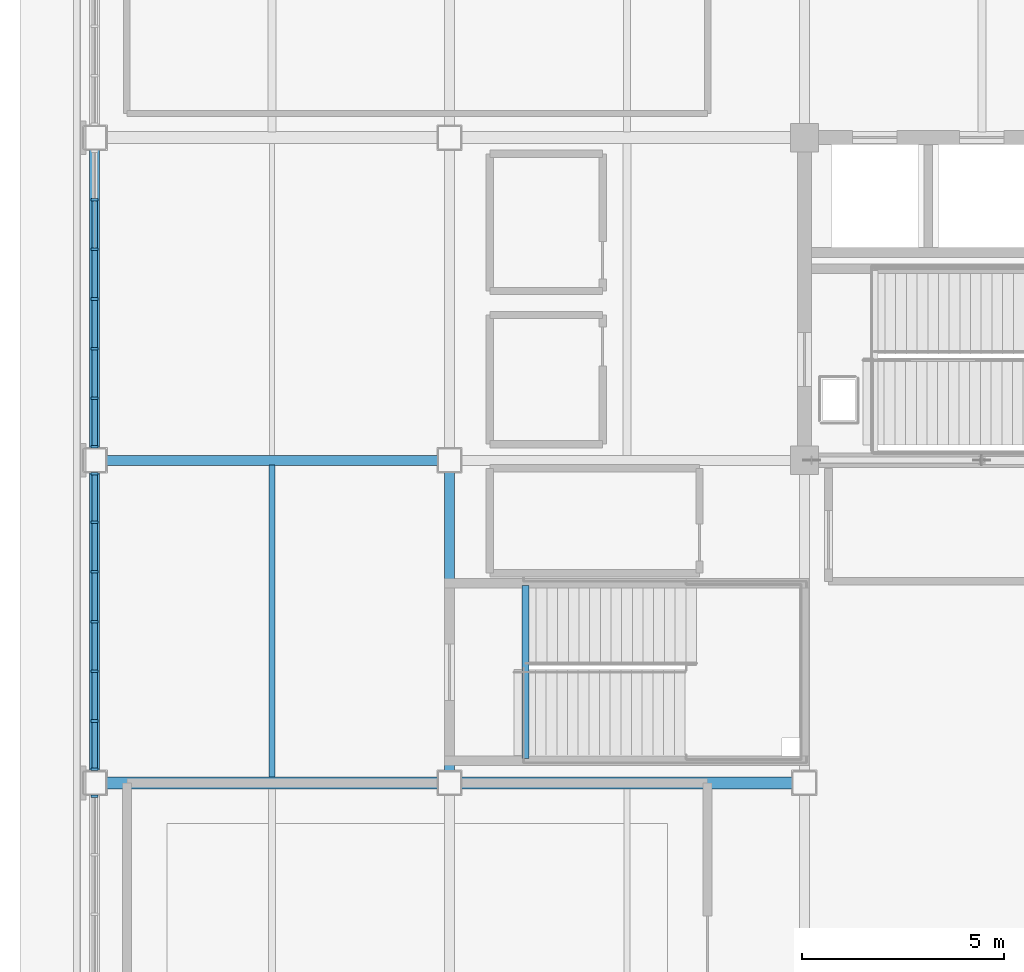
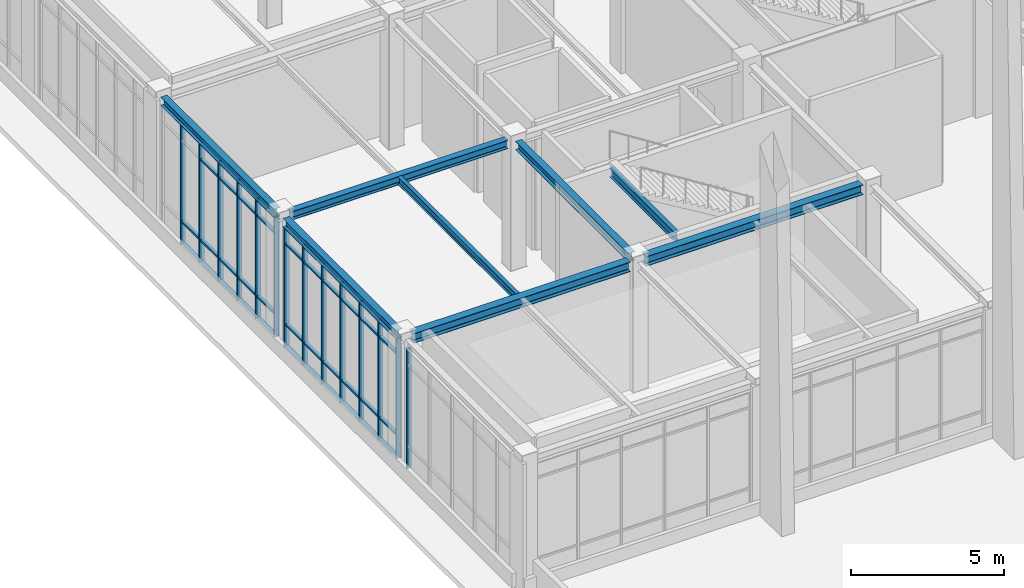
# One storey, part 26 of 108: 56 members, 8 beams, 3 elements without a shape of their own.
"""IFC4 building model written with IfcOpenShell, lengths in metres."""

from ifc_helpers import new_model, si_unit, direction, frame, origin, origin_2d, place, context, subcontext, project, spatial, rectangle, i_section, extrude, material, material_profile, profile_set, type_object, element, aggregate, save


model = new_model("IFC4")

# Units and contexts
model_context = context("Model", 3, precision=1e-05, world=origin(), true_north=direction((0.0, 1.0)))
body_context = subcontext(model_context, "Body", "Model", "MODEL_VIEW")
ifc_project = project(units=[si_unit("LENGTHUNIT", "METRE"), si_unit("AREAUNIT", "SQUARE_METRE"), si_unit("VOLUMEUNIT", "CUBIC_METRE"), si_unit("PLANEANGLEUNIT", "RADIAN"), si_unit("MASSUNIT", "GRAM", prefix="KILO")], contexts=[model_context])

# Site, building, storey
site_placement = place(None, origin())
site = spatial("IfcSite", under=ifc_project, at=site_placement, CompositionType="ELEMENT")
building_placement = place(site_placement, origin())
building = spatial("IfcBuilding", under=site, at=building_placement, Name="Zhaolan Boulevard Law Courts", CompositionType="ELEMENT")
storey_placement = place(building_placement, frame((0.0, 0.0, 10.800048828125)))
storey = spatial("IfcBuildingStorey", under=building, at=storey_placement, Name="L02", CompositionType="ELEMENT", Elevation=10.800048828125)

# Curtain wall, member
ifc_material_1 = material(Name="Thermally broken aluminium and low-E glazing", Category="aluminium")
curtain_wall_type_1 = type_object("IfcCurtainWallType", Name="CURTAIN WALL M12", PredefinedType="USERDEFINED", material=ifc_material_1)
curtain_wall_1_placement = place(storey_placement, origin())
curtain_wall_1 = element("IfcCurtainWall", 1, at=curtain_wall_1_placement, inside=storey, type_object=curtain_wall_type_1, Name="Curtain Wall CW-L02-156", ObjectType="CURTAIN WALL", PredefinedType="USERDEFINED")
ifc_material_2 = material(Name="Fluorocarbon-coated aluminium 6063-T6", Category="aluminium")
ifc_material_profile_1 = material_profile(ifc_material_2, rectangle(XDim=0.179931640625, YDim=0.06494140625, at=origin_2d()), Name="AL65x180")
ifc_profile_set_1 = profile_set([ifc_material_profile_1], Name="Fluorocarbon-coated aluminium 6063-T6")
member_type_1 = type_object("IfcMemberType", Name="CWMULLION 65X180", PredefinedType="MULLION", material=ifc_profile_set_1)
member_1_placement = place(storey_placement, frame((0.0, 37.66552734375, 0.0), z_axis=(0.0, 0.0, 1.0), x_axis=(1.0, 0.0, 0.0)))
member_1 = element("IfcMember", 2, at=member_1_placement, type_object=member_type_1, Name="CW-L02-156 mullion 1", PredefinedType="MULLION", context=body_context, shape_type="SweptSolid", body=[
    extrude(rectangle(XDim=0.179931640625, YDim=0.06494140625, at=origin_2d()), origin(), (0.0, 0.0, 1.0), 4.782958984375),
])
aggregate(curtain_wall_1, [member_1])

# Curtain wall, members
ifc_material_3 = material(Name="Thermally broken aluminium and low-E glazing", Category="aluminium")
curtain_wall_type_2 = type_object("IfcCurtainWallType", Name="CURTAIN WALL M13", PredefinedType="USERDEFINED", material=ifc_material_3)
curtain_wall_2_placement = place(storey_placement, origin())
curtain_wall_2 = element("IfcCurtainWall", 3, at=curtain_wall_2_placement, inside=storey, type_object=curtain_wall_type_2, Name="Curtain Wall CW-L02-157", ObjectType="CURTAIN WALL", PredefinedType="USERDEFINED")
member_2_placement = place(storey_placement, frame((0.0, 45.66552734375, 0.0), z_axis=(0.0, 0.0, 1.0), x_axis=(1.0, 0.0, 0.0)))
member_2 = element("IfcMember", 4, at=member_2_placement, type_object=member_type_1, Name="CW-L02-157 mullion 1", PredefinedType="MULLION", context=body_context, shape_type="SweptSolid", body=[
    extrude(rectangle(XDim=0.179931640625, YDim=0.06494140625, at=origin_2d()), origin(), (0.0, 0.0, 1.0), 4.782958984375),
])
member_3_placement = place(storey_placement, frame((0.0, 44.46533203125, 0.0), z_axis=(0.0, 0.0, 1.0), x_axis=(1.0, 0.0, 0.0)))
member_3 = element("IfcMember", 5, at=member_3_placement, type_object=member_type_1, Name="CW-L02-157 mullion 2", PredefinedType="MULLION", context=body_context, shape_type="SweptSolid", body=[
    extrude(rectangle(XDim=0.179931640625, YDim=0.06494140625, at=origin_2d()), origin(), (0.0, 0.0, 1.0), 4.782958984375),
])
member_4_placement = place(storey_placement, frame((0.0, 43.232666015625, 0.0), z_axis=(0.0, 0.0, 1.0), x_axis=(1.0, 0.0, 0.0)))
member_4 = element("IfcMember", 6, at=member_4_placement, type_object=member_type_1, Name="CW-L02-157 mullion 3", PredefinedType="MULLION", context=body_context, shape_type="SweptSolid", body=[
    extrude(rectangle(XDim=0.179931640625, YDim=0.06494140625, at=origin_2d()), origin(), (0.0, 0.0, 1.0), 4.782958984375),
])
member_5_placement = place(storey_placement, frame((0.0, 42.0, 0.0), z_axis=(0.0, 0.0, 1.0), x_axis=(1.0, 0.0, 0.0)))
member_5 = element("IfcMember", 7, at=member_5_placement, type_object=member_type_1, Name="CW-L02-157 mullion 4", PredefinedType="MULLION", context=body_context, shape_type="SweptSolid", body=[
    extrude(rectangle(XDim=0.179931640625, YDim=0.06494140625, at=origin_2d()), origin(), (0.0, 0.0, 1.0), 4.782958984375),
])
member_6_placement = place(storey_placement, frame((0.0, 40.767333984375, 0.0), z_axis=(0.0, 0.0, 1.0), x_axis=(1.0, 0.0, 0.0)))
member_6 = element("IfcMember", 8, at=member_6_placement, type_object=member_type_1, Name="CW-L02-157 mullion 5", PredefinedType="MULLION", context=body_context, shape_type="SweptSolid", body=[
    extrude(rectangle(XDim=0.179931640625, YDim=0.06494140625, at=origin_2d()), origin(), (0.0, 0.0, 1.0), 4.782958984375),
])
member_7_placement = place(storey_placement, frame((0.0, 39.53466796875, 0.0), z_axis=(0.0, 0.0, 1.0), x_axis=(1.0, 0.0, 0.0)))
member_7 = element("IfcMember", 9, at=member_7_placement, type_object=member_type_1, Name="CW-L02-157 mullion 6", PredefinedType="MULLION", context=body_context, shape_type="SweptSolid", body=[
    extrude(rectangle(XDim=0.179931640625, YDim=0.06494140625, at=origin_2d()), origin(), (0.0, 0.0, 1.0), 4.782958984375),
])
member_8_placement = place(storey_placement, frame((0.0, 38.33447265625, 0.0), z_axis=(0.0, 0.0, 1.0), x_axis=(1.0, 0.0, 0.0)))
member_8 = element("IfcMember", 10, at=member_8_placement, type_object=member_type_1, Name="CW-L02-157 mullion 7", PredefinedType="MULLION", context=body_context, shape_type="SweptSolid", body=[
    extrude(rectangle(XDim=0.179931640625, YDim=0.06494140625, at=origin_2d()), origin(), (0.0, 0.0, 1.0), 4.782958984375),
])

ifc_material_4 = material(Name="Thermally broken aluminium and low-E glazing", Category="aluminium")
curtain_wall_type_3 = type_object("IfcCurtainWallType", Name="CURTAIN WALL M14", PredefinedType="USERDEFINED", material=ifc_material_4)
curtain_wall_3_placement = place(storey_placement, origin())
curtain_wall_3 = element("IfcCurtainWall", 11, at=curtain_wall_3_placement, inside=storey, type_object=curtain_wall_type_3, Name="Curtain Wall CW-L02-158", ObjectType="CURTAIN WALL", PredefinedType="USERDEFINED")
member_9_placement = place(storey_placement, frame((0.0, 52.46533203125, 0.0), z_axis=(0.0, 0.0, 1.0), x_axis=(1.0, 0.0, 0.0)))
member_9 = element("IfcMember", 12, at=member_9_placement, type_object=member_type_1, Name="CW-L02-158 mullion 2", PredefinedType="MULLION", context=body_context, shape_type="SweptSolid", body=[
    extrude(rectangle(XDim=0.179931640625, YDim=0.06494140625, at=origin_2d()), origin(), (0.0, 0.0, 1.0), 4.782958984375),
])
member_10_placement = place(storey_placement, frame((0.0, 51.232666015625, 0.0), z_axis=(0.0, 0.0, 1.0), x_axis=(1.0, 0.0, 0.0)))
member_10 = element("IfcMember", 13, at=member_10_placement, type_object=member_type_1, Name="CW-L02-158 mullion 3", PredefinedType="MULLION", context=body_context, shape_type="SweptSolid", body=[
    extrude(rectangle(XDim=0.179931640625, YDim=0.06494140625, at=origin_2d()), origin(), (0.0, 0.0, 1.0), 4.782958984375),
])
member_11_placement = place(storey_placement, frame((0.0, 50.0, 0.0), z_axis=(0.0, 0.0, 1.0), x_axis=(1.0, 0.0, 0.0)))
member_11 = element("IfcMember", 14, at=member_11_placement, type_object=member_type_1, Name="CW-L02-158 mullion 4", PredefinedType="MULLION", context=body_context, shape_type="SweptSolid", body=[
    extrude(rectangle(XDim=0.179931640625, YDim=0.06494140625, at=origin_2d()), origin(), (0.0, 0.0, 1.0), 4.782958984375),
])
member_12_placement = place(storey_placement, frame((0.0, 48.767333984375, 0.0), z_axis=(0.0, 0.0, 1.0), x_axis=(1.0, 0.0, 0.0)))
member_12 = element("IfcMember", 15, at=member_12_placement, type_object=member_type_1, Name="CW-L02-158 mullion 5", PredefinedType="MULLION", context=body_context, shape_type="SweptSolid", body=[
    extrude(rectangle(XDim=0.179931640625, YDim=0.06494140625, at=origin_2d()), origin(), (0.0, 0.0, 1.0), 4.782958984375),
])
member_13_placement = place(storey_placement, frame((0.0, 47.53466796875, 0.0), z_axis=(0.0, 0.0, 1.0), x_axis=(1.0, 0.0, 0.0)))
member_13 = element("IfcMember", 16, at=member_13_placement, type_object=member_type_1, Name="CW-L02-158 mullion 6", PredefinedType="MULLION", context=body_context, shape_type="SweptSolid", body=[
    extrude(rectangle(XDim=0.179931640625, YDim=0.06494140625, at=origin_2d()), origin(), (0.0, 0.0, 1.0), 4.782958984375),
])
member_14_placement = place(storey_placement, frame((0.0, 46.33447265625, 0.0), z_axis=(0.0, 0.0, 1.0), x_axis=(1.0, 0.0, 0.0)))
member_14 = element("IfcMember", 17, at=member_14_placement, type_object=member_type_1, Name="CW-L02-158 mullion 7", PredefinedType="MULLION", context=body_context, shape_type="SweptSolid", body=[
    extrude(rectangle(XDim=0.179931640625, YDim=0.06494140625, at=origin_2d()), origin(), (0.0, 0.0, 1.0), 4.782958984375),
])

# Member
ifc_material_5 = material(Name="Fluorocarbon-coated aluminium 6063-T6", Category="aluminium")
ifc_material_profile_2 = material_profile(ifc_material_5, rectangle(XDim=0.139892578125, YDim=0.06494140625, at=origin_2d()), Name="AL65x140")
ifc_profile_set_2 = profile_set([ifc_material_profile_2], Name="Fluorocarbon-coated aluminium 6063-T6")
member_type_2 = type_object("IfcMemberType", Name="CWTRANSOM 65X140", PredefinedType="USERDEFINED", material=ifc_profile_set_2)
member_15_placement = place(storey_placement, frame((0.0, 45.633056640625, 0.032470703125), z_axis=(0.0, -1.0, 0.0), x_axis=(1.0, 0.0, 0.0)))
member_15 = element("IfcMember", 18, at=member_15_placement, type_object=member_type_2, Name="CW-L02-157 transom 1.1", ObjectType="TRANSOM", PredefinedType="USERDEFINED", context=body_context, shape_type="SweptSolid", body=[
    extrude(rectangle(XDim=0.139892578125, YDim=0.06494140625, at=origin_2d()), origin(), (0.0, 0.0, 1.0), 1.13525390625),
])

member_16_placement = place(storey_placement, frame((0.0, 45.633056640625, 0.89990234375), z_axis=(0.0, -1.0, 0.0), x_axis=(1.0, 0.0, 0.0)))
member_16 = element("IfcMember", 19, at=member_16_placement, type_object=member_type_2, Name="CW-L02-157 transom 1.2", ObjectType="TRANSOM", PredefinedType="USERDEFINED", context=body_context, shape_type="SweptSolid", body=[
    extrude(rectangle(XDim=0.139892578125, YDim=0.06494140625, at=origin_2d()), origin(), (0.0, 0.0, 1.0), 1.13525390625),
])

member_17_placement = place(storey_placement, frame((0.0, 45.633056640625, 4.133056640625), z_axis=(0.0, -1.0, 0.0), x_axis=(1.0, 0.0, 0.0)))
member_17 = element("IfcMember", 20, at=member_17_placement, type_object=member_type_2, Name="CW-L02-157 transom 1.3", ObjectType="TRANSOM", PredefinedType="USERDEFINED", context=body_context, shape_type="SweptSolid", body=[
    extrude(rectangle(XDim=0.139892578125, YDim=0.06494140625, at=origin_2d()), origin(), (0.0, 0.0, 1.0), 1.13525390625),
])

member_18_placement = place(storey_placement, frame((0.0, 45.633056640625, 4.75048828125), z_axis=(0.0, -1.0, 0.0), x_axis=(1.0, 0.0, 0.0)))
member_18 = element("IfcMember", 21, at=member_18_placement, type_object=member_type_2, Name="CW-L02-157 transom 1.4", ObjectType="TRANSOM", PredefinedType="USERDEFINED", context=body_context, shape_type="SweptSolid", body=[
    extrude(rectangle(XDim=0.139892578125, YDim=0.06494140625, at=origin_2d()), origin(), (0.0, 0.0, 1.0), 1.13525390625),
])

member_19_placement = place(storey_placement, frame((0.0, 44.432861328125, 0.032470703125), z_axis=(0.0, -1.0, 0.0), x_axis=(1.0, 0.0, 0.0)))
member_19 = element("IfcMember", 22, at=member_19_placement, type_object=member_type_2, Name="CW-L02-157 transom 2.1", ObjectType="TRANSOM", PredefinedType="USERDEFINED", context=body_context, shape_type="SweptSolid", body=[
    extrude(rectangle(XDim=0.139892578125, YDim=0.06494140625, at=origin_2d()), origin(), (0.0, 0.0, 1.0), 1.167724609375),
])

member_20_placement = place(storey_placement, frame((0.0, 44.432861328125, 0.89990234375), z_axis=(0.0, -1.0, 0.0), x_axis=(1.0, 0.0, 0.0)))
member_20 = element("IfcMember", 23, at=member_20_placement, type_object=member_type_2, Name="CW-L02-157 transom 2.2", ObjectType="TRANSOM", PredefinedType="USERDEFINED", context=body_context, shape_type="SweptSolid", body=[
    extrude(rectangle(XDim=0.139892578125, YDim=0.06494140625, at=origin_2d()), origin(), (0.0, 0.0, 1.0), 1.167724609375),
])

member_21_placement = place(storey_placement, frame((0.0, 44.432861328125, 4.133056640625), z_axis=(0.0, -1.0, 0.0), x_axis=(1.0, 0.0, 0.0)))
member_21 = element("IfcMember", 24, at=member_21_placement, type_object=member_type_2, Name="CW-L02-157 transom 2.3", ObjectType="TRANSOM", PredefinedType="USERDEFINED", context=body_context, shape_type="SweptSolid", body=[
    extrude(rectangle(XDim=0.139892578125, YDim=0.06494140625, at=origin_2d()), origin(), (0.0, 0.0, 1.0), 1.167724609375),
])

member_22_placement = place(storey_placement, frame((0.0, 44.432861328125, 4.75048828125), z_axis=(0.0, -1.0, 0.0), x_axis=(1.0, 0.0, 0.0)))
member_22 = element("IfcMember", 25, at=member_22_placement, type_object=member_type_2, Name="CW-L02-157 transom 2.4", ObjectType="TRANSOM", PredefinedType="USERDEFINED", context=body_context, shape_type="SweptSolid", body=[
    extrude(rectangle(XDim=0.139892578125, YDim=0.06494140625, at=origin_2d()), origin(), (0.0, 0.0, 1.0), 1.167724609375),
])

member_23_placement = place(storey_placement, frame((0.0, 43.2001953125, 0.032470703125), z_axis=(0.0, -1.0, 0.0), x_axis=(1.0, 0.0, 0.0)))
member_23 = element("IfcMember", 26, at=member_23_placement, type_object=member_type_2, Name="CW-L02-157 transom 3.1", ObjectType="TRANSOM", PredefinedType="USERDEFINED", context=body_context, shape_type="SweptSolid", body=[
    extrude(rectangle(XDim=0.139892578125, YDim=0.06494140625, at=origin_2d()), origin(), (0.0, 0.0, 1.0), 1.167724609375),
])

member_24_placement = place(storey_placement, frame((0.0, 43.2001953125, 0.89990234375), z_axis=(0.0, -1.0, 0.0), x_axis=(1.0, 0.0, 0.0)))
member_24 = element("IfcMember", 27, at=member_24_placement, type_object=member_type_2, Name="CW-L02-157 transom 3.2", ObjectType="TRANSOM", PredefinedType="USERDEFINED", context=body_context, shape_type="SweptSolid", body=[
    extrude(rectangle(XDim=0.139892578125, YDim=0.06494140625, at=origin_2d()), origin(), (0.0, 0.0, 1.0), 1.167724609375),
])

member_25_placement = place(storey_placement, frame((0.0, 43.2001953125, 4.133056640625), z_axis=(0.0, -1.0, 0.0), x_axis=(1.0, 0.0, 0.0)))
member_25 = element("IfcMember", 28, at=member_25_placement, type_object=member_type_2, Name="CW-L02-157 transom 3.3", ObjectType="TRANSOM", PredefinedType="USERDEFINED", context=body_context, shape_type="SweptSolid", body=[
    extrude(rectangle(XDim=0.139892578125, YDim=0.06494140625, at=origin_2d()), origin(), (0.0, 0.0, 1.0), 1.167724609375),
])

member_26_placement = place(storey_placement, frame((0.0, 43.2001953125, 4.75048828125), z_axis=(0.0, -1.0, 0.0), x_axis=(1.0, 0.0, 0.0)))
member_26 = element("IfcMember", 29, at=member_26_placement, type_object=member_type_2, Name="CW-L02-157 transom 3.4", ObjectType="TRANSOM", PredefinedType="USERDEFINED", context=body_context, shape_type="SweptSolid", body=[
    extrude(rectangle(XDim=0.139892578125, YDim=0.06494140625, at=origin_2d()), origin(), (0.0, 0.0, 1.0), 1.167724609375),
])

member_27_placement = place(storey_placement, frame((0.0, 41.967529296875, 0.032470703125), z_axis=(0.0, -1.0, 0.0), x_axis=(1.0, 0.0, 0.0)))
member_27 = element("IfcMember", 30, at=member_27_placement, type_object=member_type_2, Name="CW-L02-157 transom 4.1", ObjectType="TRANSOM", PredefinedType="USERDEFINED", context=body_context, shape_type="SweptSolid", body=[
    extrude(rectangle(XDim=0.139892578125, YDim=0.06494140625, at=origin_2d()), origin(), (0.0, 0.0, 1.0), 1.167724609375),
])

member_28_placement = place(storey_placement, frame((0.0, 41.967529296875, 0.89990234375), z_axis=(0.0, -1.0, 0.0), x_axis=(1.0, 0.0, 0.0)))
member_28 = element("IfcMember", 31, at=member_28_placement, type_object=member_type_2, Name="CW-L02-157 transom 4.2", ObjectType="TRANSOM", PredefinedType="USERDEFINED", context=body_context, shape_type="SweptSolid", body=[
    extrude(rectangle(XDim=0.139892578125, YDim=0.06494140625, at=origin_2d()), origin(), (0.0, 0.0, 1.0), 1.167724609375),
])

member_29_placement = place(storey_placement, frame((0.0, 41.967529296875, 4.133056640625), z_axis=(0.0, -1.0, 0.0), x_axis=(1.0, 0.0, 0.0)))
member_29 = element("IfcMember", 32, at=member_29_placement, type_object=member_type_2, Name="CW-L02-157 transom 4.3", ObjectType="TRANSOM", PredefinedType="USERDEFINED", context=body_context, shape_type="SweptSolid", body=[
    extrude(rectangle(XDim=0.139892578125, YDim=0.06494140625, at=origin_2d()), origin(), (0.0, 0.0, 1.0), 1.167724609375),
])

member_30_placement = place(storey_placement, frame((0.0, 41.967529296875, 4.75048828125), z_axis=(0.0, -1.0, 0.0), x_axis=(1.0, 0.0, 0.0)))
member_30 = element("IfcMember", 33, at=member_30_placement, type_object=member_type_2, Name="CW-L02-157 transom 4.4", ObjectType="TRANSOM", PredefinedType="USERDEFINED", context=body_context, shape_type="SweptSolid", body=[
    extrude(rectangle(XDim=0.139892578125, YDim=0.06494140625, at=origin_2d()), origin(), (0.0, 0.0, 1.0), 1.167724609375),
])

member_31_placement = place(storey_placement, frame((0.0, 40.73486328125, 0.032470703125), z_axis=(0.0, -1.0, 0.0), x_axis=(1.0, 0.0, 0.0)))
member_31 = element("IfcMember", 34, at=member_31_placement, type_object=member_type_2, Name="CW-L02-157 transom 5.1", ObjectType="TRANSOM", PredefinedType="USERDEFINED", context=body_context, shape_type="SweptSolid", body=[
    extrude(rectangle(XDim=0.139892578125, YDim=0.06494140625, at=origin_2d()), origin(), (0.0, 0.0, 1.0), 1.167724609375),
])

member_32_placement = place(storey_placement, frame((0.0, 40.73486328125, 0.89990234375), z_axis=(0.0, -1.0, 0.0), x_axis=(1.0, 0.0, 0.0)))
member_32 = element("IfcMember", 35, at=member_32_placement, type_object=member_type_2, Name="CW-L02-157 transom 5.2", ObjectType="TRANSOM", PredefinedType="USERDEFINED", context=body_context, shape_type="SweptSolid", body=[
    extrude(rectangle(XDim=0.139892578125, YDim=0.06494140625, at=origin_2d()), origin(), (0.0, 0.0, 1.0), 1.167724609375),
])

member_33_placement = place(storey_placement, frame((0.0, 40.73486328125, 4.133056640625), z_axis=(0.0, -1.0, 0.0), x_axis=(1.0, 0.0, 0.0)))
member_33 = element("IfcMember", 36, at=member_33_placement, type_object=member_type_2, Name="CW-L02-157 transom 5.3", ObjectType="TRANSOM", PredefinedType="USERDEFINED", context=body_context, shape_type="SweptSolid", body=[
    extrude(rectangle(XDim=0.139892578125, YDim=0.06494140625, at=origin_2d()), origin(), (0.0, 0.0, 1.0), 1.167724609375),
])

member_34_placement = place(storey_placement, frame((0.0, 40.73486328125, 4.75048828125), z_axis=(0.0, -1.0, 0.0), x_axis=(1.0, 0.0, 0.0)))
member_34 = element("IfcMember", 37, at=member_34_placement, type_object=member_type_2, Name="CW-L02-157 transom 5.4", ObjectType="TRANSOM", PredefinedType="USERDEFINED", context=body_context, shape_type="SweptSolid", body=[
    extrude(rectangle(XDim=0.139892578125, YDim=0.06494140625, at=origin_2d()), origin(), (0.0, 0.0, 1.0), 1.167724609375),
])

member_35_placement = place(storey_placement, frame((0.0, 39.502197265625, 0.032470703125), z_axis=(0.0, -1.0, 0.0), x_axis=(1.0, 0.0, 0.0)))
member_35 = element("IfcMember", 38, at=member_35_placement, type_object=member_type_2, Name="CW-L02-157 transom 6.1", ObjectType="TRANSOM", PredefinedType="USERDEFINED", context=body_context, shape_type="SweptSolid", body=[
    extrude(rectangle(XDim=0.139892578125, YDim=0.06494140625, at=origin_2d()), origin(), (0.0, 0.0, 1.0), 1.13525390625),
])

member_36_placement = place(storey_placement, frame((0.0, 39.502197265625, 0.89990234375), z_axis=(0.0, -1.0, 0.0), x_axis=(1.0, 0.0, 0.0)))
member_36 = element("IfcMember", 39, at=member_36_placement, type_object=member_type_2, Name="CW-L02-157 transom 6.2", ObjectType="TRANSOM", PredefinedType="USERDEFINED", context=body_context, shape_type="SweptSolid", body=[
    extrude(rectangle(XDim=0.139892578125, YDim=0.06494140625, at=origin_2d()), origin(), (0.0, 0.0, 1.0), 1.13525390625),
])

member_37_placement = place(storey_placement, frame((0.0, 39.502197265625, 4.133056640625), z_axis=(0.0, -1.0, 0.0), x_axis=(1.0, 0.0, 0.0)))
member_37 = element("IfcMember", 40, at=member_37_placement, type_object=member_type_2, Name="CW-L02-157 transom 6.3", ObjectType="TRANSOM", PredefinedType="USERDEFINED", context=body_context, shape_type="SweptSolid", body=[
    extrude(rectangle(XDim=0.139892578125, YDim=0.06494140625, at=origin_2d()), origin(), (0.0, 0.0, 1.0), 1.13525390625),
])

member_38_placement = place(storey_placement, frame((0.0, 39.502197265625, 4.75048828125), z_axis=(0.0, -1.0, 0.0), x_axis=(1.0, 0.0, 0.0)))
member_38 = element("IfcMember", 41, at=member_38_placement, type_object=member_type_2, Name="CW-L02-157 transom 6.4", ObjectType="TRANSOM", PredefinedType="USERDEFINED", context=body_context, shape_type="SweptSolid", body=[
    extrude(rectangle(XDim=0.139892578125, YDim=0.06494140625, at=origin_2d()), origin(), (0.0, 0.0, 1.0), 1.13525390625),
])

aggregate(curtain_wall_2, [member_2, member_3, member_4, member_5, member_6, member_7, member_8, member_15, member_16, member_17, member_18, member_19, member_20, member_21, member_22, member_23, member_24, member_25, member_26, member_27, member_28, member_29, member_30, member_31, member_32, member_33, member_34, member_35, member_36, member_37, member_38])

member_39_placement = place(storey_placement, frame((0.0, 52.432861328125, 0.032470703125), z_axis=(0.0, -1.0, 0.0), x_axis=(1.0, 0.0, 0.0)))
member_39 = element("IfcMember", 42, at=member_39_placement, type_object=member_type_2, Name="CW-L02-158 transom 2.1", ObjectType="TRANSOM", PredefinedType="USERDEFINED", context=body_context, shape_type="SweptSolid", body=[
    extrude(rectangle(XDim=0.139892578125, YDim=0.06494140625, at=origin_2d()), origin(), (0.0, 0.0, 1.0), 1.167724609375),
])

member_40_placement = place(storey_placement, frame((0.0, 52.432861328125, 0.89990234375), z_axis=(0.0, -1.0, 0.0), x_axis=(1.0, 0.0, 0.0)))
member_40 = element("IfcMember", 43, at=member_40_placement, type_object=member_type_2, Name="CW-L02-158 transom 2.2", ObjectType="TRANSOM", PredefinedType="USERDEFINED", context=body_context, shape_type="SweptSolid", body=[
    extrude(rectangle(XDim=0.139892578125, YDim=0.06494140625, at=origin_2d()), origin(), (0.0, 0.0, 1.0), 1.167724609375),
])

member_41_placement = place(storey_placement, frame((0.0, 51.2001953125, 0.032470703125), z_axis=(0.0, -1.0, 0.0), x_axis=(1.0, 0.0, 0.0)))
member_41 = element("IfcMember", 44, at=member_41_placement, type_object=member_type_2, Name="CW-L02-158 transom 3.1", ObjectType="TRANSOM", PredefinedType="USERDEFINED", context=body_context, shape_type="SweptSolid", body=[
    extrude(rectangle(XDim=0.139892578125, YDim=0.06494140625, at=origin_2d()), origin(), (0.0, 0.0, 1.0), 1.167724609375),
])

member_42_placement = place(storey_placement, frame((0.0, 51.2001953125, 0.89990234375), z_axis=(0.0, -1.0, 0.0), x_axis=(1.0, 0.0, 0.0)))
member_42 = element("IfcMember", 45, at=member_42_placement, type_object=member_type_2, Name="CW-L02-158 transom 3.2", ObjectType="TRANSOM", PredefinedType="USERDEFINED", context=body_context, shape_type="SweptSolid", body=[
    extrude(rectangle(XDim=0.139892578125, YDim=0.06494140625, at=origin_2d()), origin(), (0.0, 0.0, 1.0), 1.167724609375),
])

member_43_placement = place(storey_placement, frame((0.0, 51.2001953125, 4.133056640625), z_axis=(0.0, -1.0, 0.0), x_axis=(1.0, 0.0, 0.0)))
member_43 = element("IfcMember", 46, at=member_43_placement, type_object=member_type_2, Name="CW-L02-158 transom 3.3", ObjectType="TRANSOM", PredefinedType="USERDEFINED", context=body_context, shape_type="SweptSolid", body=[
    extrude(rectangle(XDim=0.139892578125, YDim=0.06494140625, at=origin_2d()), origin(), (0.0, 0.0, 1.0), 1.167724609375),
])

member_44_placement = place(storey_placement, frame((0.0, 51.2001953125, 4.75048828125), z_axis=(0.0, -1.0, 0.0), x_axis=(1.0, 0.0, 0.0)))
member_44 = element("IfcMember", 47, at=member_44_placement, type_object=member_type_2, Name="CW-L02-158 transom 3.4", ObjectType="TRANSOM", PredefinedType="USERDEFINED", context=body_context, shape_type="SweptSolid", body=[
    extrude(rectangle(XDim=0.139892578125, YDim=0.06494140625, at=origin_2d()), origin(), (0.0, 0.0, 1.0), 1.167724609375),
])

member_45_placement = place(storey_placement, frame((0.0, 49.967529296875, 0.032470703125), z_axis=(0.0, -1.0, 0.0), x_axis=(1.0, 0.0, 0.0)))
member_45 = element("IfcMember", 48, at=member_45_placement, type_object=member_type_2, Name="CW-L02-158 transom 4.1", ObjectType="TRANSOM", PredefinedType="USERDEFINED", context=body_context, shape_type="SweptSolid", body=[
    extrude(rectangle(XDim=0.139892578125, YDim=0.06494140625, at=origin_2d()), origin(), (0.0, 0.0, 1.0), 1.167724609375),
])

member_46_placement = place(storey_placement, frame((0.0, 49.967529296875, 0.89990234375), z_axis=(0.0, -1.0, 0.0), x_axis=(1.0, 0.0, 0.0)))
member_46 = element("IfcMember", 49, at=member_46_placement, type_object=member_type_2, Name="CW-L02-158 transom 4.2", ObjectType="TRANSOM", PredefinedType="USERDEFINED", context=body_context, shape_type="SweptSolid", body=[
    extrude(rectangle(XDim=0.139892578125, YDim=0.06494140625, at=origin_2d()), origin(), (0.0, 0.0, 1.0), 1.167724609375),
])

member_47_placement = place(storey_placement, frame((0.0, 49.967529296875, 4.133056640625), z_axis=(0.0, -1.0, 0.0), x_axis=(1.0, 0.0, 0.0)))
member_47 = element("IfcMember", 50, at=member_47_placement, type_object=member_type_2, Name="CW-L02-158 transom 4.3", ObjectType="TRANSOM", PredefinedType="USERDEFINED", context=body_context, shape_type="SweptSolid", body=[
    extrude(rectangle(XDim=0.139892578125, YDim=0.06494140625, at=origin_2d()), origin(), (0.0, 0.0, 1.0), 1.167724609375),
])

member_48_placement = place(storey_placement, frame((0.0, 49.967529296875, 4.75048828125), z_axis=(0.0, -1.0, 0.0), x_axis=(1.0, 0.0, 0.0)))
member_48 = element("IfcMember", 51, at=member_48_placement, type_object=member_type_2, Name="CW-L02-158 transom 4.4", ObjectType="TRANSOM", PredefinedType="USERDEFINED", context=body_context, shape_type="SweptSolid", body=[
    extrude(rectangle(XDim=0.139892578125, YDim=0.06494140625, at=origin_2d()), origin(), (0.0, 0.0, 1.0), 1.167724609375),
])

member_49_placement = place(storey_placement, frame((0.0, 48.73486328125, 0.032470703125), z_axis=(0.0, -1.0, 0.0), x_axis=(1.0, 0.0, 0.0)))
member_49 = element("IfcMember", 52, at=member_49_placement, type_object=member_type_2, Name="CW-L02-158 transom 5.1", ObjectType="TRANSOM", PredefinedType="USERDEFINED", context=body_context, shape_type="SweptSolid", body=[
    extrude(rectangle(XDim=0.139892578125, YDim=0.06494140625, at=origin_2d()), origin(), (0.0, 0.0, 1.0), 1.167724609375),
])

member_50_placement = place(storey_placement, frame((0.0, 48.73486328125, 0.89990234375), z_axis=(0.0, -1.0, 0.0), x_axis=(1.0, 0.0, 0.0)))
member_50 = element("IfcMember", 53, at=member_50_placement, type_object=member_type_2, Name="CW-L02-158 transom 5.2", ObjectType="TRANSOM", PredefinedType="USERDEFINED", context=body_context, shape_type="SweptSolid", body=[
    extrude(rectangle(XDim=0.139892578125, YDim=0.06494140625, at=origin_2d()), origin(), (0.0, 0.0, 1.0), 1.167724609375),
])

member_51_placement = place(storey_placement, frame((0.0, 48.73486328125, 4.133056640625), z_axis=(0.0, -1.0, 0.0), x_axis=(1.0, 0.0, 0.0)))
member_51 = element("IfcMember", 54, at=member_51_placement, type_object=member_type_2, Name="CW-L02-158 transom 5.3", ObjectType="TRANSOM", PredefinedType="USERDEFINED", context=body_context, shape_type="SweptSolid", body=[
    extrude(rectangle(XDim=0.139892578125, YDim=0.06494140625, at=origin_2d()), origin(), (0.0, 0.0, 1.0), 1.167724609375),
])

member_52_placement = place(storey_placement, frame((0.0, 48.73486328125, 4.75048828125), z_axis=(0.0, -1.0, 0.0), x_axis=(1.0, 0.0, 0.0)))
member_52 = element("IfcMember", 55, at=member_52_placement, type_object=member_type_2, Name="CW-L02-158 transom 5.4", ObjectType="TRANSOM", PredefinedType="USERDEFINED", context=body_context, shape_type="SweptSolid", body=[
    extrude(rectangle(XDim=0.139892578125, YDim=0.06494140625, at=origin_2d()), origin(), (0.0, 0.0, 1.0), 1.167724609375),
])

member_53_placement = place(storey_placement, frame((0.0, 47.502197265625, 0.032470703125), z_axis=(0.0, -1.0, 0.0), x_axis=(1.0, 0.0, 0.0)))
member_53 = element("IfcMember", 56, at=member_53_placement, type_object=member_type_2, Name="CW-L02-158 transom 6.1", ObjectType="TRANSOM", PredefinedType="USERDEFINED", context=body_context, shape_type="SweptSolid", body=[
    extrude(rectangle(XDim=0.139892578125, YDim=0.06494140625, at=origin_2d()), origin(), (0.0, 0.0, 1.0), 1.13525390625),
])

member_54_placement = place(storey_placement, frame((0.0, 47.502197265625, 0.89990234375), z_axis=(0.0, -1.0, 0.0), x_axis=(1.0, 0.0, 0.0)))
member_54 = element("IfcMember", 57, at=member_54_placement, type_object=member_type_2, Name="CW-L02-158 transom 6.2", ObjectType="TRANSOM", PredefinedType="USERDEFINED", context=body_context, shape_type="SweptSolid", body=[
    extrude(rectangle(XDim=0.139892578125, YDim=0.06494140625, at=origin_2d()), origin(), (0.0, 0.0, 1.0), 1.13525390625),
])

member_55_placement = place(storey_placement, frame((0.0, 47.502197265625, 4.133056640625), z_axis=(0.0, -1.0, 0.0), x_axis=(1.0, 0.0, 0.0)))
member_55 = element("IfcMember", 58, at=member_55_placement, type_object=member_type_2, Name="CW-L02-158 transom 6.3", ObjectType="TRANSOM", PredefinedType="USERDEFINED", context=body_context, shape_type="SweptSolid", body=[
    extrude(rectangle(XDim=0.139892578125, YDim=0.06494140625, at=origin_2d()), origin(), (0.0, 0.0, 1.0), 1.13525390625),
])

member_56_placement = place(storey_placement, frame((0.0, 47.502197265625, 4.75048828125), z_axis=(0.0, -1.0, 0.0), x_axis=(1.0, 0.0, 0.0)))
member_56 = element("IfcMember", 59, at=member_56_placement, type_object=member_type_2, Name="CW-L02-158 transom 6.4", ObjectType="TRANSOM", PredefinedType="USERDEFINED", context=body_context, shape_type="SweptSolid", body=[
    extrude(rectangle(XDim=0.139892578125, YDim=0.06494140625, at=origin_2d()), origin(), (0.0, 0.0, 1.0), 1.13525390625),
])

aggregate(curtain_wall_3, [member_9, member_10, member_11, member_12, member_13, member_14, member_39, member_40, member_41, member_42, member_43, member_44, member_45, member_46, member_47, member_48, member_49, member_50, member_51, member_52, member_53, member_54, member_55, member_56])

# Beams
ifc_material_6 = material(Name="Structural steel Q355B", Category="steel")
ifc_material_profile_3 = material_profile(ifc_material_6, i_section(OverallWidth=0.25, OverallDepth=0.340087890625, WebThickness=0.009033203125, FlangeThickness=0.013916015625, FilletRadius=0.01611328125, at=origin_2d()), Name="HM340x250")
ifc_profile_set_3 = profile_set([ifc_material_profile_3], Name="Structural steel Q355B")
beam_type_1 = type_object("IfcBeamType", Name="GIRDER HM340", PredefinedType="BEAM", material=ifc_profile_set_3)
for number, where, z_axis, x_axis, name in (
    (60, (0.0, 38.2958984375, 4.968017578125), (0.0, 1.0, 0.0), (-1.0, 0.0, 0.0), "Beam BY-L03-1-F-G"),
    (61, (0.0, 46.2958984375, 4.968017578125), (0.0, 1.0, 0.0), (-1.0, 0.0, 0.0), "Beam BY-L03-1-G-H"),
    (62, (8.800048828125, 38.2958984375, 4.968017578125), (0.0, 1.0, 0.0), (-1.0, 0.0, 0.0), "Beam BY-L03-2-F-G"),
):
    element("IfcBeam", number, at=place(storey_placement, frame(where, z_axis=z_axis, x_axis=x_axis)), inside=storey, type_object=beam_type_1, Name=name, PredefinedType="BEAM", context=body_context, shape_type="SweptSolid", body=[
        extrude(i_section(OverallWidth=0.25, OverallDepth=0.340087890625, WebThickness=0.009033203125, FlangeThickness=0.013916015625, FilletRadius=0.01611328125, at=origin_2d()), origin(), (0.0, 0.0, 1.0), 7.408203125),
    ])
ifc_material_7 = material(Name="Structural steel Q355B", Category="steel")
ifc_material_profile_4 = material_profile(ifc_material_7, i_section(OverallWidth=0.300048828125, OverallDepth=0.389892578125, WebThickness=0.010009765625, FlangeThickness=0.01611328125, FilletRadius=0.01806640625, at=origin_2d()), Name="HM390x300")
ifc_profile_set_4 = profile_set([ifc_material_profile_4], Name="Structural steel Q355B")
beam_type_2 = type_object("IfcBeamType", Name="GIRDER HM390", PredefinedType="BEAM", material=ifc_profile_set_4)
for number, where, z_axis, x_axis, name in (
    (63, (0.2958984375, 38.0, 4.94287109375), (1.0, 0.0, 0.0), (0.0, 1.0, 0.0), "Beam BX-L03-1-2-F"),
    (64, (9.095947265625, 38.0, 4.94287109375), (1.0, 0.0, 0.0), (0.0, 1.0, 0.0), "Beam BX-L03-2-3-F"),
):
    element("IfcBeam", number, at=place(storey_placement, frame(where, z_axis=z_axis, x_axis=x_axis)), inside=storey, type_object=beam_type_2, Name=name, PredefinedType="BEAM", context=body_context, shape_type="SweptSolid", body=[
        extrude(i_section(OverallWidth=0.300048828125, OverallDepth=0.389892578125, WebThickness=0.010009765625, FlangeThickness=0.01611328125, FilletRadius=0.01806640625, at=origin_2d()), origin(), (0.0, 0.0, 1.0), 8.2080078125),
    ])
ifc_material_8 = material(Name="Structural steel Q355B", Category="steel")
ifc_material_profile_5 = material_profile(ifc_material_8, i_section(OverallWidth=0.14990234375, OverallDepth=0.300048828125, WebThickness=0.006591796875, FlangeThickness=0.009033203125, FilletRadius=0.010986328125, at=origin_2d()), Name="HN300x150")
ifc_profile_set_5 = profile_set([ifc_material_profile_5], Name="Structural steel Q355B")
beam_type_3 = type_object("IfcBeamType", Name="JOIST HN300", PredefinedType="JOIST", material=ifc_profile_set_5)
beam_1_placement = place(storey_placement, frame((4.39990234375, 38.14599609375, 4.988037109375), z_axis=(0.0, 1.0, 0.0), x_axis=(-1.0, 0.0, 0.0)))
element("IfcBeam", 65, at=beam_1_placement, inside=storey, type_object=beam_type_3, Name="Composite Joist J-L03-1F", PredefinedType="JOIST", context=body_context, shape_type="SweptSolid", body=[
    extrude(i_section(OverallWidth=0.14990234375, OverallDepth=0.300048828125, WebThickness=0.006591796875, FlangeThickness=0.009033203125, FilletRadius=0.010986328125, at=origin_2d()), origin(), (0.0, 0.0, 1.0), 7.73291015625),
])
ifc_material_9 = material(Name="Structural steel Q355B", Category="steel")
ifc_material_profile_6 = material_profile(ifc_material_9, i_section(OverallWidth=0.25, OverallDepth=0.340087890625, WebThickness=0.009033203125, FlangeThickness=0.013916015625, FilletRadius=0.01611328125, at=origin_2d()), Name="HM340x250")
ifc_profile_set_6 = profile_set([ifc_material_profile_6], Name="Structural steel Q355B")
beam_type_4 = type_object("IfcBeamType", Name="SPANDREL HM340", PredefinedType="SPANDREL", material=ifc_profile_set_6)
beam_2_placement = place(storey_placement, frame((0.2958984375, 46.0, 4.968017578125), z_axis=(1.0, 0.0, 0.0), x_axis=(0.0, 1.0, 0.0)))
element("IfcBeam", 66, at=beam_2_placement, inside=storey, type_object=beam_type_4, Name="Beam BX-L03-1-2-G", PredefinedType="SPANDREL", context=body_context, shape_type="SweptSolid", body=[
    extrude(i_section(OverallWidth=0.25, OverallDepth=0.340087890625, WebThickness=0.009033203125, FlangeThickness=0.013916015625, FilletRadius=0.01611328125, at=origin_2d()), origin(), (0.0, 0.0, 1.0), 8.2080078125),
])
ifc_material_10 = material(Name="Structural steel Q355B", Category="steel")
ifc_material_profile_7 = material_profile(ifc_material_10, i_section(OverallWidth=0.175048828125, OverallDepth=0.35009765625, WebThickness=0.007080078125, FlangeThickness=0.010986328125, FilletRadius=0.012939453125, at=origin_2d()), Name="HN350x175")
ifc_profile_set_7 = profile_set([ifc_material_profile_7], Name="Structural steel Q355B")
beam_type_5 = type_object("IfcBeamType", Name="STAIR TRIMMER HN350", PredefinedType="BEAM", material=ifc_profile_set_7)
beam_3_placement = place(storey_placement, frame((10.68505859375, 38.60009765625, 4.93505859375), z_axis=(0.0, 1.0, 0.0), x_axis=(-1.0, 0.0, 0.0)))
element("IfcBeam", 67, at=beam_3_placement, inside=storey, type_object=beam_type_5, Name="Stair Landing Trimmer Beam STB-ST03-L03", PredefinedType="BEAM", context=body_context, shape_type="SweptSolid", body=[
    extrude(i_section(OverallWidth=0.175048828125, OverallDepth=0.35009765625, WebThickness=0.007080078125, FlangeThickness=0.010986328125, FilletRadius=0.012939453125, at=origin_2d()), origin(), (0.0, 0.0, 1.0), 4.2998046875),
])

save(model, "model.ifc")
